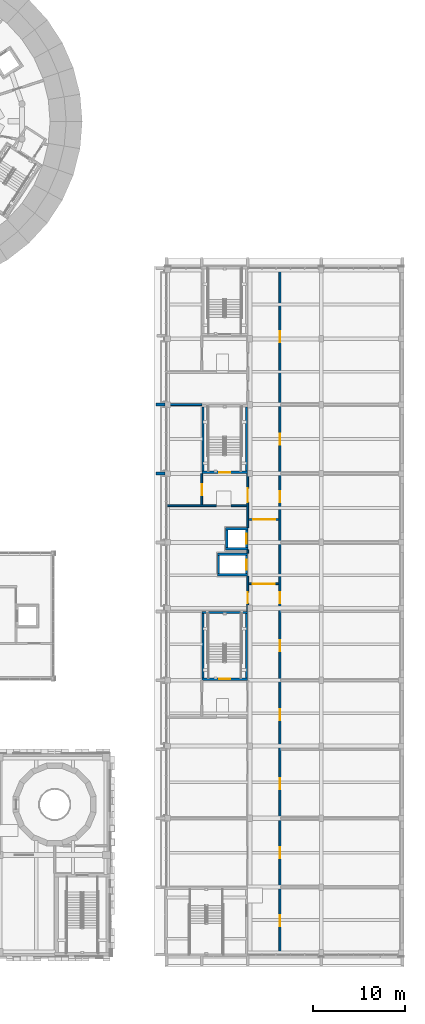
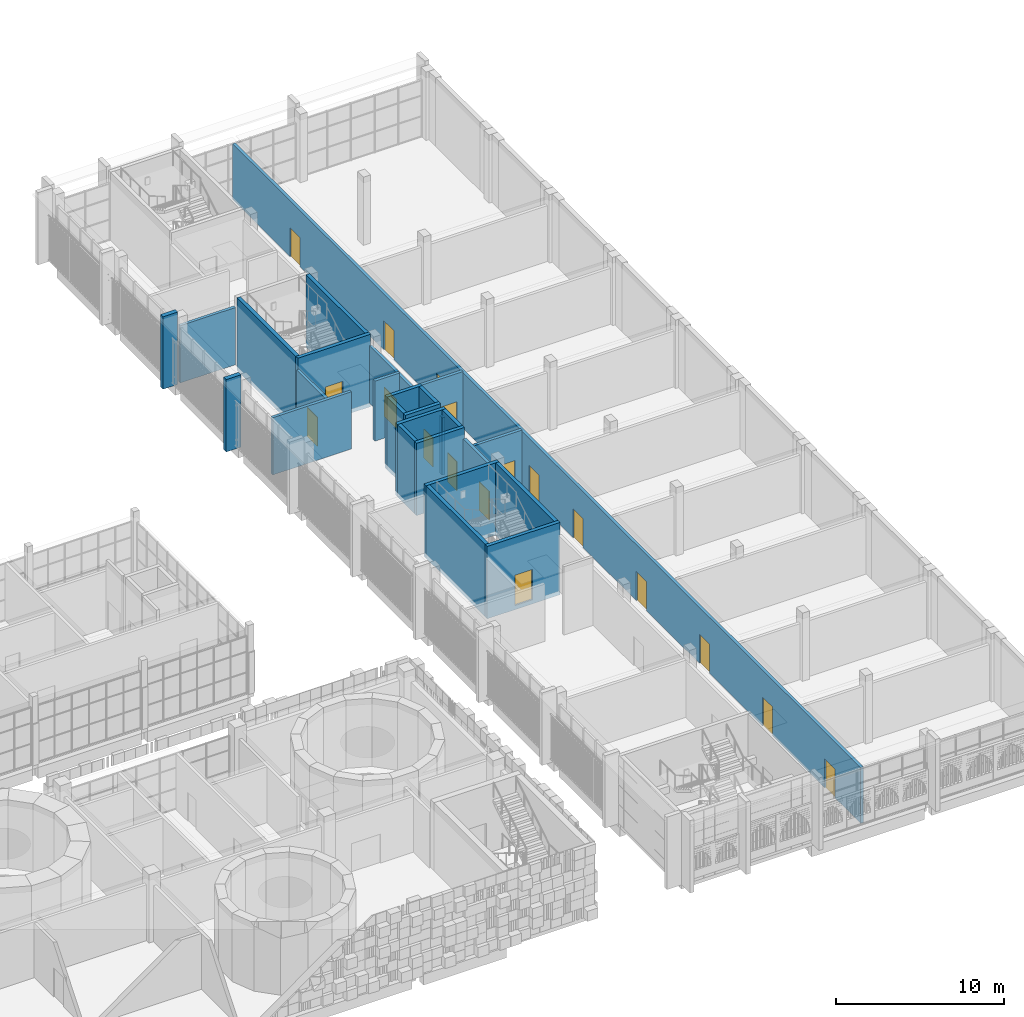
# One storey, part 69 of 125: 27 walls, 18 doors, 18 openings.
"""IFC4 building model written with IfcOpenShell, lengths in metres."""

from ifc_helpers import new_model, si_unit, direction, frame, frame_2d, origin, place, context, subcontext, project, spatial, rectangle, extrude, material, layer, layer_set, type_object, element, fill, save


model = new_model("IFC4")

# Units and contexts
model_context = context("Model", 3, precision=1e-05, world=origin(), true_north=direction((0.0, 1.0)))
body_context = subcontext(model_context, "Body", "Model", "MODEL_VIEW")
ifc_project = project(units=[si_unit("LENGTHUNIT", "METRE"), si_unit("AREAUNIT", "SQUARE_METRE"), si_unit("VOLUMEUNIT", "CUBIC_METRE"), si_unit("PLANEANGLEUNIT", "RADIAN"), si_unit("MASSUNIT", "GRAM", prefix="KILO")], contexts=[model_context])

# Site, building, storey
site_placement = place(None, origin())
site = spatial("IfcSite", under=ifc_project, at=site_placement, CompositionType="ELEMENT")
building_placement = place(site_placement, origin())
building = spatial("IfcBuilding", under=site, at=building_placement, Name="Sun Court Science Centre", CompositionType="ELEMENT")
storey_placement = place(building_placement, frame((0.0, 0.0, 6.0)))
storey = spatial("IfcBuildingStorey", under=building, at=storey_placement, Name="L01", CompositionType="ELEMENT", Elevation=6.0)

# Walls
ifc_material_1 = material(Name="Concrete C30/37", Category="concrete")
ifc_layer_1 = layer(ifc_material_1, 0.300048828125)
ifc_layer_set_1 = layer_set([ifc_layer_1], Name="Concrete C30/37")
wall_type_1 = type_object("IfcWallType", Name="Facade fin RC 300", PredefinedType="SOLIDWALL", material=ifc_layer_set_1)
for number, where, z_axis, x_axis, name in (
    (1, (77.0, 58.5, 0.0), (0.0, 0.0, 1.0), (1.0, 0.0, 0.0), "Facade fin 08 L01"),
    (2, (77.0, 66.0, 0.0), (0.0, 0.0, 1.0), (1.0, 0.0, 0.0), "Facade fin 09 L01"),
):
    element("IfcWall", number, at=place(storey_placement, frame(where, z_axis=z_axis, x_axis=x_axis)), inside=storey, type_object=wall_type_1, Name=name, PredefinedType="SOLIDWALL", context=body_context, shape_type="SweptSolid", body=[
        extrude(rectangle(XDim=1.0, YDim=0.300048828125, at=frame_2d((0.5, 0.0))), origin(), (0.0, 0.0, 1.0), 5.25),
    ])
ifc_material_2 = material(Name="Concrete block", Category="concrete")
ifc_layer_2 = layer(ifc_material_2, 0.199951171875)
ifc_layer_set_2 = layer_set([ifc_layer_2], Name="Concrete block")
wall_type_2 = type_object("IfcWallType", Name="Partition 200 block EI60", PredefinedType="PARTITIONING", material=ifc_layer_set_2)
wall_1_placement = place(storey_placement, frame((78.199951171875, 55.0, 0.0), z_axis=(0.0, 0.0, 1.0), x_axis=(1.0, 0.0, 0.0)))
element("IfcWall", 3, at=wall_1_placement, inside=storey, type_object=wall_type_2, Name="L01 partition 013", PredefinedType="PARTITIONING", context=body_context, shape_type="SweptSolid", body=[
    extrude(rectangle(XDim=5.400146484375, YDim=0.199951171875, at=frame_2d((2.7001953125, 0.0))), origin(), (0.0, 0.0, 1.0), 4.14990234375),
])
wall_2_placement = place(storey_placement, frame((85.199951171875, 55.0, 0.0), z_axis=(0.0, 0.0, 1.0), x_axis=(1.0, 0.0, 0.0)))
element("IfcWall", 4, at=wall_2_placement, inside=storey, type_object=wall_type_2, Name="L01 partition 014", PredefinedType="PARTITIONING", context=body_context, shape_type="SweptSolid", body=[
    extrude(rectangle(XDim=1.699951171875, YDim=0.199951171875, at=frame_2d((0.85009765625, 0.0))), origin(), (0.0, 0.0, 1.0), 4.35009765625),
])
wall_3_placement = place(storey_placement, frame((87.0, 49.85205078125, 0.0), z_axis=(0.0, 0.0, 1.0), x_axis=(0.0, 1.0, 0.0)))
element("IfcWall", 5, at=wall_3_placement, inside=storey, type_object=wall_type_2, Name="L01 partition 023", PredefinedType="PARTITIONING", context=body_context, shape_type="SweptSolid", body=[
    extrude(rectangle(XDim=0.33349609375, YDim=0.199951171875, at=frame_2d((0.166748046875, 0.0))), origin(), (0.0, 0.0, 1.0), 4.14990234375),
])

# Wall, opening, door
wall_4_placement = place(storey_placement, frame((82.0, 55.10009765625, 0.0), z_axis=(0.0, 0.0, 1.0), x_axis=(0.0, 1.0, 0.0)))
wall_4 = element("IfcWall", 6, at=wall_4_placement, inside=storey, type_object=wall_type_2, Name="L01 partition 027", PredefinedType="PARTITIONING", context=body_context, shape_type="SweptSolid", body=[
    extrude(rectangle(XDim=3.39794921875, YDim=0.199951171875, at=frame_2d((1.698974609375, 0.0))), origin(), (0.0, 0.0, 1.0), 4.14990234375),
])
opening_1_placement = place(wall_4_placement, frame((1.051025390625, 0.0, 0.0)))
opening_1 = element("IfcOpeningElement", 7, at=opening_1_placement, cuts=wall_4, Name="Opening D-L01-041", PredefinedType="OPENING", context=body_context, shape_type="SweptSolid", body=[
    extrude(rectangle(XDim=1.199951171875, YDim=2.10009765625, at=frame_2d((0.60009765625, 1.050048828125))), frame((0.0, 0.10986328125, 0.0), z_axis=(0.0, -1.0, 0.0), x_axis=(1.0, 0.0, 0.0)), (0.0, 0.0, 1.0), 0.219970703125),
])
ifc_material_3 = material(Name="Timber", Category="wood")
door_type_1 = type_object("IfcDoorType", Name="Door 1200x2100 single leaf", OperationType="NOTDEFINED", PredefinedType="DOOR", material=ifc_material_3)
door_1_placement = place(opening_1_placement, origin())
door_1 = element("IfcDoor", 8, at=door_1_placement, inside=storey, type_object=door_type_1, Name="Door D-L01-041", OperationType="SINGLE_SWING_RIGHT", OverallHeight=2.10009765625, OverallWidth=1.199951171875, PredefinedType="DOOR", context=body_context, shape_type="SweptSolid", body=[
    extrude(rectangle(XDim=1.199951171875, YDim=2.10009765625, at=frame_2d((0.60009765625, 1.050048828125))), frame((0.0, 0.02490234375, 0.0), z_axis=(0.0, -1.0, 0.0), x_axis=(1.0, 0.0, 0.0)), (0.0, 0.0, 1.0), 0.050048828125),
])
fill(opening_1, door_1)

ifc_material_4 = material(Name="Concrete block", Category="concrete")
ifc_layer_3 = layer(ifc_material_4, 0.199951171875)
ifc_layer_set_3 = layer_set([ifc_layer_3], Name="Concrete block")
wall_type_3 = type_object("IfcWallType", Name="Partition 200 corridor block EI120", PredefinedType="PARTITIONING", material=ifc_layer_set_3)
wall_5_placement = place(storey_placement, frame((90.39990234375, 46.5, 0.0), z_axis=(0.0, 0.0, 1.0), x_axis=(-1.0, 0.0, 0.0)))
wall_5 = element("IfcWall", 9, at=wall_5_placement, inside=storey, type_object=wall_type_3, Name="L01 partition 010", PredefinedType="PARTITIONING", context=body_context, shape_type="SweptSolid", body=[
    extrude(rectangle(XDim=3.2998046875, YDim=0.199951171875, at=frame_2d((1.64990234375, 0.0))), origin(), (0.0, 0.0, 1.0), 4.14990234375),
])
opening_2_placement = place(wall_5_placement, frame((0.47705078125, 0.0, 0.0)))
opening_2 = element("IfcOpeningElement", 10, at=opening_2_placement, cuts=wall_5, Name="Opening D-L01-029", PredefinedType="OPENING", context=body_context, shape_type="SweptSolid", body=[
    extrude(rectangle(XDim=2.39990234375, YDim=2.10009765625, at=frame_2d((1.199951171875, 1.050048828125))), frame((0.0, 0.10986328125, 0.0), z_axis=(0.0, -1.0, 0.0), x_axis=(1.0, 0.0, 0.0)), (0.0, 0.0, 1.0), 0.219970703125),
])
ifc_material_5 = material(Name="Steel", Category="steel")
door_type_2 = type_object("IfcDoorType", Name="Door 2400x2100 double leaf FD60", OperationType="DOUBLE_DOOR_SINGLE_SWING", PredefinedType="DOOR", material=ifc_material_5)
door_2_placement = place(opening_2_placement, origin())
door_2 = element("IfcDoor", 11, at=door_2_placement, inside=storey, type_object=door_type_2, Name="Door D-L01-029", OperationType="DOUBLE_DOOR_SINGLE_SWING", OverallHeight=2.10009765625, OverallWidth=2.39990234375, PredefinedType="DOOR", context=body_context, shape_type="SweptSolid", body=[
    extrude(rectangle(XDim=2.39990234375, YDim=2.10009765625, at=frame_2d((1.199951171875, 1.050048828125))), frame((0.0, 0.02490234375, 0.0), z_axis=(0.0, -1.0, 0.0), x_axis=(1.0, 0.0, 0.0)), (0.0, 0.0, 1.0), 0.050048828125),
])
fill(opening_2, door_2)

wall_6_placement = place(storey_placement, frame((87.10009765625, 53.5, 0.0), z_axis=(0.0, 0.0, 1.0), x_axis=(1.0, 0.0, 0.0)))
wall_6 = element("IfcWall", 12, at=wall_6_placement, inside=storey, type_object=wall_type_3, Name="L01 partition 012", PredefinedType="PARTITIONING", context=body_context, shape_type="SweptSolid", body=[
    extrude(rectangle(XDim=3.2998046875, YDim=0.199951171875, at=frame_2d((1.64990234375, 0.0))), origin(), (0.0, 0.0, 1.0), 4.14990234375),
])
opening_3_placement = place(wall_6_placement, frame((0.47705078125, 0.0, 0.0)))
opening_3 = element("IfcOpeningElement", 13, at=opening_3_placement, cuts=wall_6, Name="Opening D-L01-026", PredefinedType="OPENING", context=body_context, shape_type="SweptSolid", body=[
    extrude(rectangle(XDim=2.39990234375, YDim=2.10009765625, at=frame_2d((1.199951171875, 1.050048828125))), frame((0.0, 0.10986328125, 0.0), z_axis=(0.0, -1.0, 0.0), x_axis=(1.0, 0.0, 0.0)), (0.0, 0.0, 1.0), 0.219970703125),
])
door_3_placement = place(opening_3_placement, origin())
door_3 = element("IfcDoor", 14, at=door_3_placement, inside=storey, type_object=door_type_2, Name="Door D-L01-026", OperationType="DOUBLE_DOOR_SINGLE_SWING", OverallHeight=2.10009765625, OverallWidth=2.39990234375, PredefinedType="DOOR", context=body_context, shape_type="SweptSolid", body=[
    extrude(rectangle(XDim=2.39990234375, YDim=2.10009765625, at=frame_2d((1.199951171875, 1.050048828125))), frame((0.0, 0.02490234375, 0.0), z_axis=(0.0, -1.0, 0.0), x_axis=(1.0, 0.0, 0.0)), (0.0, 0.0, 1.0), 0.050048828125),
])
fill(opening_3, door_3)

# Wall, openings, doors
wall_7_placement = place(storey_placement, frame((90.5, 80.800048828125, 0.0), z_axis=(0.0, 0.0, 1.0), x_axis=(0.0, -1.0, 0.0)))
wall_7 = element("IfcWall", 15, at=wall_7_placement, inside=storey, type_object=wall_type_3, Name="L01 partition 020", PredefinedType="PARTITIONING", context=body_context, shape_type="SweptSolid", body=[
    extrude(rectangle(XDim=74.60009765625, YDim=0.199951171875, at=frame_2d((37.300048828125, 0.0))), origin(), (0.0, 0.0, 1.0), 4.050048828125),
])
opening_4_placement = place(wall_7_placement, frame((70.35009765625, 0.0, 0.0)))
opening_4 = element("IfcOpeningElement", 16, at=opening_4_placement, cuts=wall_7, Name="Opening D-L01-044", PredefinedType="OPENING", context=body_context, shape_type="SweptSolid", body=[
    extrude(rectangle(XDim=1.199951171875, YDim=2.10009765625, at=frame_2d((0.60009765625, 1.050048828125))), frame((0.0, 0.10986328125, 0.0), z_axis=(0.0, -1.0, 0.0), x_axis=(1.0, 0.0, 0.0)), (0.0, 0.0, 1.0), 0.219970703125),
])
opening_5_placement = place(wall_7_placement, frame((62.949951171875, 0.0, 0.0)))
opening_5 = element("IfcOpeningElement", 17, at=opening_5_placement, cuts=wall_7, Name="Opening D-L01-045", PredefinedType="OPENING", context=body_context, shape_type="SweptSolid", body=[
    extrude(rectangle(XDim=1.199951171875, YDim=2.10009765625, at=frame_2d((0.60009765625, 1.050048828125))), frame((0.0, 0.10986328125, 0.0), z_axis=(0.0, -1.0, 0.0), x_axis=(1.0, 0.0, 0.0)), (0.0, 0.0, 1.0), 0.219970703125),
])
opening_6_placement = place(wall_7_placement, frame((55.449951171875, 0.0, 0.0)))
opening_6 = element("IfcOpeningElement", 18, at=opening_6_placement, cuts=wall_7, Name="Opening D-L01-046", PredefinedType="OPENING", context=body_context, shape_type="SweptSolid", body=[
    extrude(rectangle(XDim=1.199951171875, YDim=2.10009765625, at=frame_2d((0.60009765625, 1.050048828125))), frame((0.0, 0.10986328125, 0.0), z_axis=(0.0, -1.0, 0.0), x_axis=(1.0, 0.0, 0.0)), (0.0, 0.0, 1.0), 0.219970703125),
])
opening_7_placement = place(wall_7_placement, frame((47.949951171875, 0.0, 0.0)))
opening_7 = element("IfcOpeningElement", 19, at=opening_7_placement, cuts=wall_7, Name="Opening D-L01-047", PredefinedType="OPENING", context=body_context, shape_type="SweptSolid", body=[
    extrude(rectangle(XDim=1.199951171875, YDim=2.10009765625, at=frame_2d((0.60009765625, 1.050048828125))), frame((0.0, 0.10986328125, 0.0), z_axis=(0.0, -1.0, 0.0), x_axis=(1.0, 0.0, 0.0)), (0.0, 0.0, 1.0), 0.219970703125),
])
opening_8_placement = place(wall_7_placement, frame((40.449951171875, 0.0, 0.0)))
opening_8 = element("IfcOpeningElement", 20, at=opening_8_placement, cuts=wall_7, Name="Opening D-L01-048", PredefinedType="OPENING", context=body_context, shape_type="SweptSolid", body=[
    extrude(rectangle(XDim=1.199951171875, YDim=2.10009765625, at=frame_2d((0.60009765625, 1.050048828125))), frame((0.0, 0.10986328125, 0.0), z_axis=(0.0, -1.0, 0.0), x_axis=(1.0, 0.0, 0.0)), (0.0, 0.0, 1.0), 0.219970703125),
])
opening_9_placement = place(wall_7_placement, frame((35.198974609375, 0.0, 0.0)))
opening_9 = element("IfcOpeningElement", 21, at=opening_9_placement, cuts=wall_7, Name="Opening D-L01-049", PredefinedType="OPENING", context=body_context, shape_type="SweptSolid", body=[
    extrude(rectangle(XDim=1.199951171875, YDim=2.10009765625, at=frame_2d((0.60009765625, 1.050048828125))), frame((0.0, 0.10986328125, 0.0), z_axis=(0.0, -1.0, 0.0), x_axis=(1.0, 0.0, 0.0)), (0.0, 0.0, 1.0), 0.219970703125),
])
opening_10_placement = place(wall_7_placement, frame((24.200927734375, 0.0, 0.0)))
opening_10 = element("IfcOpeningElement", 22, at=opening_10_placement, cuts=wall_7, Name="Opening D-L01-050", PredefinedType="OPENING", context=body_context, shape_type="SweptSolid", body=[
    extrude(rectangle(XDim=1.199951171875, YDim=2.10009765625, at=frame_2d((0.60009765625, 1.050048828125))), frame((0.0, 0.10986328125, 0.0), z_axis=(0.0, -1.0, 0.0), x_axis=(1.0, 0.0, 0.0)), (0.0, 0.0, 1.0), 0.219970703125),
])
opening_11_placement = place(wall_7_placement, frame((17.949951171875, 0.0, 0.0)))
opening_11 = element("IfcOpeningElement", 23, at=opening_11_placement, cuts=wall_7, Name="Opening D-L01-051", PredefinedType="OPENING", context=body_context, shape_type="SweptSolid", body=[
    extrude(rectangle(XDim=1.199951171875, YDim=2.10009765625, at=frame_2d((0.60009765625, 1.050048828125))), frame((0.0, 0.10986328125, 0.0), z_axis=(0.0, -1.0, 0.0), x_axis=(1.0, 0.0, 0.0)), (0.0, 0.0, 1.0), 0.219970703125),
])
opening_12_placement = place(wall_7_placement, frame((6.824951171875, 0.0, 0.0)))
opening_12 = element("IfcOpeningElement", 24, at=opening_12_placement, cuts=wall_7, Name="Opening D-L01-052", PredefinedType="OPENING", context=body_context, shape_type="SweptSolid", body=[
    extrude(rectangle(XDim=1.199951171875, YDim=2.10009765625, at=frame_2d((0.60009765625, 1.050048828125))), frame((0.0, 0.10986328125, 0.0), z_axis=(0.0, -1.0, 0.0), x_axis=(1.0, 0.0, 0.0)), (0.0, 0.0, 1.0), 0.219970703125),
])
ifc_material_6 = material(Name="Steel", Category="steel")
door_type_3 = type_object("IfcDoorType", Name="Door 1200x2100 single leaf FD60", OperationType="NOTDEFINED", PredefinedType="DOOR", material=ifc_material_6)
door_4_placement = place(opening_4_placement, origin())
door_4 = element("IfcDoor", 25, at=door_4_placement, inside=storey, type_object=door_type_3, Name="Door D-L01-044", OperationType="SINGLE_SWING_LEFT", OverallHeight=2.10009765625, OverallWidth=1.199951171875, PredefinedType="DOOR", context=body_context, shape_type="SweptSolid", body=[
    extrude(rectangle(XDim=1.199951171875, YDim=2.10009765625, at=frame_2d((0.60009765625, 1.050048828125))), frame((0.0, 0.02490234375, 0.0), z_axis=(0.0, -1.0, 0.0), x_axis=(1.0, 0.0, 0.0)), (0.0, 0.0, 1.0), 0.050048828125),
])
fill(opening_4, door_4)
door_5_placement = place(opening_5_placement, origin())
door_5 = element("IfcDoor", 26, at=door_5_placement, inside=storey, type_object=door_type_3, Name="Door D-L01-045", OperationType="SINGLE_SWING_LEFT", OverallHeight=2.10009765625, OverallWidth=1.199951171875, PredefinedType="DOOR", context=body_context, shape_type="SweptSolid", body=[
    extrude(rectangle(XDim=1.199951171875, YDim=2.10009765625, at=frame_2d((0.60009765625, 1.050048828125))), frame((0.0, 0.02490234375, 0.0), z_axis=(0.0, -1.0, 0.0), x_axis=(1.0, 0.0, 0.0)), (0.0, 0.0, 1.0), 0.050048828125),
])
fill(opening_5, door_5)
door_6_placement = place(opening_6_placement, origin())
door_6 = element("IfcDoor", 27, at=door_6_placement, inside=storey, type_object=door_type_3, Name="Door D-L01-046", OperationType="SINGLE_SWING_LEFT", OverallHeight=2.10009765625, OverallWidth=1.199951171875, PredefinedType="DOOR", context=body_context, shape_type="SweptSolid", body=[
    extrude(rectangle(XDim=1.199951171875, YDim=2.10009765625, at=frame_2d((0.60009765625, 1.050048828125))), frame((0.0, 0.02490234375, 0.0), z_axis=(0.0, -1.0, 0.0), x_axis=(1.0, 0.0, 0.0)), (0.0, 0.0, 1.0), 0.050048828125),
])
fill(opening_6, door_6)
door_7_placement = place(opening_7_placement, origin())
door_7 = element("IfcDoor", 28, at=door_7_placement, inside=storey, type_object=door_type_3, Name="Door D-L01-047", OperationType="SINGLE_SWING_LEFT", OverallHeight=2.10009765625, OverallWidth=1.199951171875, PredefinedType="DOOR", context=body_context, shape_type="SweptSolid", body=[
    extrude(rectangle(XDim=1.199951171875, YDim=2.10009765625, at=frame_2d((0.60009765625, 1.050048828125))), frame((0.0, 0.02490234375, 0.0), z_axis=(0.0, -1.0, 0.0), x_axis=(1.0, 0.0, 0.0)), (0.0, 0.0, 1.0), 0.050048828125),
])
fill(opening_7, door_7)
door_8_placement = place(opening_8_placement, origin())
door_8 = element("IfcDoor", 29, at=door_8_placement, inside=storey, type_object=door_type_3, Name="Door D-L01-048", OperationType="SINGLE_SWING_LEFT", OverallHeight=2.10009765625, OverallWidth=1.199951171875, PredefinedType="DOOR", context=body_context, shape_type="SweptSolid", body=[
    extrude(rectangle(XDim=1.199951171875, YDim=2.10009765625, at=frame_2d((0.60009765625, 1.050048828125))), frame((0.0, 0.02490234375, 0.0), z_axis=(0.0, -1.0, 0.0), x_axis=(1.0, 0.0, 0.0)), (0.0, 0.0, 1.0), 0.050048828125),
])
fill(opening_8, door_8)
door_9_placement = place(opening_9_placement, origin())
door_9 = element("IfcDoor", 30, at=door_9_placement, inside=storey, type_object=door_type_3, Name="Door D-L01-049", OperationType="SINGLE_SWING_RIGHT", OverallHeight=2.10009765625, OverallWidth=1.199951171875, PredefinedType="DOOR", context=body_context, shape_type="SweptSolid", body=[
    extrude(rectangle(XDim=1.199951171875, YDim=2.10009765625, at=frame_2d((0.60009765625, 1.050048828125))), frame((0.0, 0.02490234375, 0.0), z_axis=(0.0, -1.0, 0.0), x_axis=(1.0, 0.0, 0.0)), (0.0, 0.0, 1.0), 0.050048828125),
])
fill(opening_9, door_9)
door_10_placement = place(opening_10_placement, origin())
door_10 = element("IfcDoor", 31, at=door_10_placement, inside=storey, type_object=door_type_3, Name="Door D-L01-050", OperationType="SINGLE_SWING_RIGHT", OverallHeight=2.10009765625, OverallWidth=1.199951171875, PredefinedType="DOOR", context=body_context, shape_type="SweptSolid", body=[
    extrude(rectangle(XDim=1.199951171875, YDim=2.10009765625, at=frame_2d((0.60009765625, 1.050048828125))), frame((0.0, 0.02490234375, 0.0), z_axis=(0.0, -1.0, 0.0), x_axis=(1.0, 0.0, 0.0)), (0.0, 0.0, 1.0), 0.050048828125),
])
fill(opening_10, door_10)
door_11_placement = place(opening_11_placement, origin())
door_11 = element("IfcDoor", 32, at=door_11_placement, inside=storey, type_object=door_type_3, Name="Door D-L01-051", OperationType="SINGLE_SWING_RIGHT", OverallHeight=2.10009765625, OverallWidth=1.199951171875, PredefinedType="DOOR", context=body_context, shape_type="SweptSolid", body=[
    extrude(rectangle(XDim=1.199951171875, YDim=2.10009765625, at=frame_2d((0.60009765625, 1.050048828125))), frame((0.0, 0.02490234375, 0.0), z_axis=(0.0, -1.0, 0.0), x_axis=(1.0, 0.0, 0.0)), (0.0, 0.0, 1.0), 0.050048828125),
])
fill(opening_11, door_11)
door_12_placement = place(opening_12_placement, origin())
door_12 = element("IfcDoor", 33, at=door_12_placement, inside=storey, type_object=door_type_3, Name="Door D-L01-052", OperationType="SINGLE_SWING_RIGHT", OverallHeight=2.10009765625, OverallWidth=1.199951171875, PredefinedType="DOOR", context=body_context, shape_type="SweptSolid", body=[
    extrude(rectangle(XDim=1.199951171875, YDim=2.10009765625, at=frame_2d((0.60009765625, 1.050048828125))), frame((0.0, 0.02490234375, 0.0), z_axis=(0.0, -1.0, 0.0), x_axis=(1.0, 0.0, 0.0)), (0.0, 0.0, 1.0), 0.050048828125),
])
fill(opening_12, door_12)

# Wall, opening, door
wall_8_placement = place(storey_placement, frame((87.0, 43.501953125, 0.0), z_axis=(0.0, 0.0, 1.0), x_axis=(0.0, 1.0, 0.0)))
wall_8 = element("IfcWall", 34, at=wall_8_placement, inside=storey, type_object=wall_type_3, Name="L01 partition 022", PredefinedType="PARTITIONING", context=body_context, shape_type="SweptSolid", body=[
    extrude(rectangle(XDim=3.845947265625, YDim=0.199951171875, at=frame_2d((1.9228515625, 0.0))), origin(), (0.0, 0.0, 1.0), 4.14990234375),
])
opening_13_placement = place(wall_8_placement, frame((0.89892578125, 0.0, 0.0)))
opening_13 = element("IfcOpeningElement", 35, at=opening_13_placement, cuts=wall_8, Name="Opening D-L01-040", PredefinedType="OPENING", context=body_context, shape_type="SweptSolid", body=[
    extrude(rectangle(XDim=1.199951171875, YDim=2.10009765625, at=frame_2d((0.60009765625, 1.050048828125))), frame((0.0, 0.10986328125, 0.0), z_axis=(0.0, -1.0, 0.0), x_axis=(1.0, 0.0, 0.0)), (0.0, 0.0, 1.0), 0.219970703125),
])
door_13_placement = place(opening_13_placement, origin())
door_13 = element("IfcDoor", 36, at=door_13_placement, inside=storey, type_object=door_type_3, Name="Door D-L01-040", OperationType="SINGLE_SWING_RIGHT", OverallHeight=2.10009765625, OverallWidth=1.199951171875, PredefinedType="DOOR", context=body_context, shape_type="SweptSolid", body=[
    extrude(rectangle(XDim=1.199951171875, YDim=2.10009765625, at=frame_2d((0.60009765625, 1.050048828125))), frame((0.0, 0.02490234375, 0.0), z_axis=(0.0, -1.0, 0.0), x_axis=(1.0, 0.0, 0.0)), (0.0, 0.0, 1.0), 0.050048828125),
])
fill(opening_13, door_13)

wall_9_placement = place(storey_placement, frame((87.0, 52.614501953125, 0.0), z_axis=(0.0, 0.0, 1.0), x_axis=(0.0, 1.0, 0.0)))
wall_9 = element("IfcWall", 37, at=wall_9_placement, inside=storey, type_object=wall_type_3, Name="L01 partition 024", PredefinedType="PARTITIONING", context=body_context, shape_type="SweptSolid", body=[
    extrude(rectangle(XDim=5.883544921875, YDim=0.199951171875, at=frame_2d((2.94189453125, 0.0))), origin(), (0.0, 0.0, 1.0), 4.14990234375),
])
opening_14_placement = place(wall_9_placement, frame((2.785400390625, 0.0, 0.0)))
opening_14 = element("IfcOpeningElement", 38, at=opening_14_placement, cuts=wall_9, Name="Opening D-L01-033", PredefinedType="OPENING", context=body_context, shape_type="SweptSolid", body=[
    extrude(rectangle(XDim=1.5, YDim=2.10009765625, at=frame_2d((0.75, 1.050048828125))), frame((0.0, 0.10986328125, 0.0), z_axis=(0.0, -1.0, 0.0), x_axis=(1.0, 0.0, 0.0)), (0.0, 0.0, 1.0), 0.219970703125),
])
ifc_material_7 = material(Name="Steel", Category="steel")
door_type_4 = type_object("IfcDoorType", Name="Door 1500x2100 double leaf FD60", OperationType="DOUBLE_DOOR_SINGLE_SWING", PredefinedType="DOOR", material=ifc_material_7)
door_14_placement = place(opening_14_placement, origin())
door_14 = element("IfcDoor", 39, at=door_14_placement, inside=storey, type_object=door_type_4, Name="Door D-L01-033", OperationType="DOUBLE_DOOR_SINGLE_SWING", OverallHeight=2.10009765625, OverallWidth=1.5, PredefinedType="DOOR", context=body_context, shape_type="SweptSolid", body=[
    extrude(rectangle(XDim=1.5, YDim=2.10009765625, at=frame_2d((0.75, 1.050048828125))), frame((0.0, 0.02490234375, 0.0), z_axis=(0.0, -1.0, 0.0), x_axis=(1.0, 0.0, 0.0)), (0.0, 0.0, 1.0), 0.050048828125),
])
fill(opening_14, door_14)

# Walls
ifc_material_8 = material(Name="Gypsum board")
ifc_layer_4 = layer(ifc_material_8, 0.199951171875)
ifc_layer_set_4 = layer_set([ifc_layer_4], Name="Gypsum board")
wall_type_4 = type_object("IfcWallType", Name="Partition 200 stud EI30", PredefinedType="PARTITIONING", material=ifc_layer_set_4)
wall_10_placement = place(storey_placement, frame((78.199951171875, 66.0, 0.0), z_axis=(0.0, 0.0, 1.0), x_axis=(1.0, 0.0, 0.0)))
element("IfcWall", 40, at=wall_10_placement, inside=storey, type_object=wall_type_4, Name="L01 partition 016", PredefinedType="PARTITIONING", context=body_context, shape_type="SweptSolid", body=[
    extrude(rectangle(XDim=3.798095703125, YDim=0.199951171875, at=frame_2d((1.89892578125, 0.0))), origin(), (0.0, 0.0, 1.0), 4.14990234375),
])
ifc_material_9 = material(Name="Concrete C30/37", Category="concrete")
ifc_layer_5 = layer(ifc_material_9, 0.25)
ifc_layer_set_5 = layer_set([ifc_layer_5], Name="Concrete C30/37")
wall_type_5 = type_object("IfcWallType", Name="RC shaft wall 250", PredefinedType="SHEAR", material=ifc_layer_set_5)
wall_11_placement = place(storey_placement, frame((83.699951171875, 47.47509765625, -0.300048828125), z_axis=(0.0, 0.0, 1.0), x_axis=(1.0, 0.0, 0.0)))
element("IfcWall", 41, at=wall_11_placement, inside=storey, type_object=wall_type_5, Name="Lift core LL1 wall S, L01", PredefinedType="SHEAR", context=body_context, shape_type="SweptSolid", body=[
    extrude(rectangle(XDim=3.300048828125, YDim=0.25, at=frame_2d((1.64990234375, 0.0))), origin(), (0.0, 0.0, 1.0), 5.25),
])

# Wall, opening, door
wall_12_placement = place(storey_placement, frame((86.875, 47.60009765625, -0.300048828125), z_axis=(0.0, 0.0, 1.0), x_axis=(0.0, 1.0, 0.0)))
wall_12 = element("IfcWall", 42, at=wall_12_placement, inside=storey, type_object=wall_type_5, Name="Lift core LL1 wall E, L01", PredefinedType="SHEAR", context=body_context, shape_type="SweptSolid", body=[
    extrude(rectangle(XDim=2.0, YDim=0.25, at=frame_2d((1.0, 0.0))), origin(), (0.0, 0.0, 1.0), 5.25),
])
opening_15_placement = place(wall_12_placement, frame((0.424072265625, 0.0, 0.300048828125)))
opening_15 = element("IfcOpeningElement", 43, at=opening_15_placement, cuts=wall_12, Name="Opening D-L01-027", PredefinedType="OPENING", context=body_context, shape_type="SweptSolid", body=[
    extrude(rectangle(XDim=1.10009765625, YDim=2.10009765625, at=frame_2d((0.550048828125, 1.050048828125))), frame((0.0, 0.135009765625, 0.0), z_axis=(0.0, -1.0, 0.0), x_axis=(1.0, 0.0, 0.0)), (0.0, 0.0, 1.0), 0.27001953125),
])
ifc_material_10 = material(Name="Steel", Category="steel")
door_type_5 = type_object("IfcDoorType", Name="Lift landing door 1100x2100 sliding", OperationType="DOUBLE_DOOR_SLIDING", PredefinedType="DOOR", material=ifc_material_10)
door_15_placement = place(opening_15_placement, origin())
door_15 = element("IfcDoor", 44, at=door_15_placement, inside=storey, type_object=door_type_5, Name="Lift landing door D-L01-027", OperationType="DOUBLE_DOOR_SLIDING", OverallHeight=2.10009765625, OverallWidth=1.10009765625, PredefinedType="DOOR", context=body_context, shape_type="SweptSolid", body=[
    extrude(rectangle(XDim=1.10009765625, YDim=2.10009765625, at=frame_2d((0.550048828125, 1.050048828125))), frame((0.0, 0.02490234375, 0.0), z_axis=(0.0, -1.0, 0.0), x_axis=(1.0, 0.0, 0.0)), (0.0, 0.0, 1.0), 0.050048828125),
])
fill(opening_15, door_15)

# Walls
wall_13_placement = place(storey_placement, frame((83.699951171875, 49.72509765625, -0.300048828125), z_axis=(0.0, 0.0, 1.0), x_axis=(1.0, 0.0, 0.0)))
element("IfcWall", 45, at=wall_13_placement, inside=storey, type_object=wall_type_5, Name="Lift core LL1 wall N, L01", PredefinedType="SHEAR", context=body_context, shape_type="SweptSolid", body=[
    extrude(rectangle(XDim=3.300048828125, YDim=0.25, at=frame_2d((1.64990234375, 0.0))), origin(), (0.0, 0.0, 1.0), 5.25),
])
wall_14_placement = place(storey_placement, frame((83.824951171875, 47.60009765625, -0.300048828125), z_axis=(0.0, 0.0, 1.0), x_axis=(0.0, 1.0, 0.0)))
element("IfcWall", 46, at=wall_14_placement, inside=storey, type_object=wall_type_5, Name="Lift core LL1 wall W, L01", PredefinedType="SHEAR", context=body_context, shape_type="SweptSolid", body=[
    extrude(rectangle(XDim=2.0, YDim=0.25, at=frame_2d((1.0, 0.0))), origin(), (0.0, 0.0, 1.0), 5.25),
])
wall_15_placement = place(storey_placement, frame((84.577392578125, 50.3125, -0.300048828125), z_axis=(0.0, 0.0, 1.0), x_axis=(1.0, 0.0, 0.0)))
element("IfcWall", 47, at=wall_15_placement, inside=storey, type_object=wall_type_5, Name="Lift core LL2 wall S, L01", PredefinedType="SHEAR", context=body_context, shape_type="SweptSolid", body=[
    extrude(rectangle(XDim=2.425048828125, YDim=0.25, at=frame_2d((1.21240234375, 0.0))), origin(), (0.0, 0.0, 1.0), 5.25),
])

# Wall, opening, door
wall_16_placement = place(storey_placement, frame((86.87744140625, 50.4375, -0.300048828125), z_axis=(0.0, 0.0, 1.0), x_axis=(0.0, 1.0, 0.0)))
wall_16 = element("IfcWall", 48, at=wall_16_placement, inside=storey, type_object=wall_type_5, Name="Lift core LL2 wall E, L01", PredefinedType="SHEAR", context=body_context, shape_type="SweptSolid", body=[
    extrude(rectangle(XDim=1.925048828125, YDim=0.25, at=frame_2d((0.96240234375, 0.0))), origin(), (0.0, 0.0, 1.0), 5.25),
])
opening_16_placement = place(wall_16_placement, frame((0.41259765625, 0.0, 0.300048828125)))
opening_16 = element("IfcOpeningElement", 49, at=opening_16_placement, cuts=wall_16, Name="Opening D-L01-028", PredefinedType="OPENING", context=body_context, shape_type="SweptSolid", body=[
    extrude(rectangle(XDim=1.10009765625, YDim=2.10009765625, at=frame_2d((0.550048828125, 1.050048828125))), frame((0.0, 0.135009765625, 0.0), z_axis=(0.0, -1.0, 0.0), x_axis=(1.0, 0.0, 0.0)), (0.0, 0.0, 1.0), 0.27001953125),
])
door_16_placement = place(opening_16_placement, origin())
door_16 = element("IfcDoor", 50, at=door_16_placement, inside=storey, type_object=door_type_5, Name="Lift landing door D-L01-028", OperationType="DOUBLE_DOOR_SLIDING", OverallHeight=2.10009765625, OverallWidth=1.10009765625, PredefinedType="DOOR", context=body_context, shape_type="SweptSolid", body=[
    extrude(rectangle(XDim=1.10009765625, YDim=2.10009765625, at=frame_2d((0.550048828125, 1.050048828125))), frame((0.0, 0.02490234375, 0.0), z_axis=(0.0, -1.0, 0.0), x_axis=(1.0, 0.0, 0.0)), (0.0, 0.0, 1.0), 0.050048828125),
])
fill(opening_16, door_16)

# Walls
wall_17_placement = place(storey_placement, frame((84.577392578125, 52.487548828125, -0.300048828125), z_axis=(0.0, 0.0, 1.0), x_axis=(1.0, 0.0, 0.0)))
element("IfcWall", 51, at=wall_17_placement, inside=storey, type_object=wall_type_5, Name="Lift core LL2 wall N, L01", PredefinedType="SHEAR", context=body_context, shape_type="SweptSolid", body=[
    extrude(rectangle(XDim=2.425048828125, YDim=0.25, at=frame_2d((1.21240234375, 0.0))), origin(), (0.0, 0.0, 1.0), 5.25),
])
wall_18_placement = place(storey_placement, frame((84.702392578125, 50.4375, -0.300048828125), z_axis=(0.0, 0.0, 1.0), x_axis=(0.0, 1.0, 0.0)))
element("IfcWall", 52, at=wall_18_placement, inside=storey, type_object=wall_type_5, Name="Lift core LL2 wall W, L01", PredefinedType="SHEAR", context=body_context, shape_type="SweptSolid", body=[
    extrude(rectangle(XDim=1.925048828125, YDim=0.25, at=frame_2d((0.96240234375, 0.0))), origin(), (0.0, 0.0, 1.0), 5.25),
])

# Wall, opening, door
ifc_material_11 = material(Name="Concrete C30/37", Category="concrete")
ifc_layer_6 = layer(ifc_material_11, 0.25)
ifc_layer_set_6 = layer_set([ifc_layer_6], Name="Concrete C30/37")
wall_type_6 = type_object("IfcWallType", Name="RC stair core wall 250", PredefinedType="SHEAR", material=ifc_layer_set_6)
wall_19_placement = place(storey_placement, frame((82.0, 36.125, -0.300048828125), z_axis=(0.0, 0.0, 1.0), x_axis=(1.0, 0.0, 0.0)))
wall_19 = element("IfcWall", 53, at=wall_19_placement, inside=storey, type_object=wall_type_6, Name="Stair core SL2 wall S, L01", PredefinedType="SHEAR", context=body_context, shape_type="SweptSolid", body=[
    extrude(rectangle(XDim=5.0, YDim=0.25, at=frame_2d((2.5, 0.0))), origin(), (0.0, 0.0, 1.0), 5.25),
])
opening_17_placement = place(wall_19_placement, frame((1.89990234375, 0.0, 0.300048828125)))
opening_17 = element("IfcOpeningElement", 54, at=opening_17_placement, cuts=wall_19, Name="Opening D-L01-030", PredefinedType="OPENING", context=body_context, shape_type="SweptSolid", body=[
    extrude(rectangle(XDim=1.199951171875, YDim=2.199951171875, at=frame_2d((0.60009765625, 1.10009765625))), frame((0.0, 0.135009765625, 0.0), z_axis=(0.0, -1.0, 0.0), x_axis=(1.0, 0.0, 0.0)), (0.0, 0.0, 1.0), 0.27001953125),
])
ifc_material_12 = material(Name="Steel", Category="steel")
door_type_6 = type_object("IfcDoorType", Name="Door 1200x2200 single leaf FD60", OperationType="NOTDEFINED", PredefinedType="DOOR", material=ifc_material_12)
door_17_placement = place(opening_17_placement, origin())
door_17 = element("IfcDoor", 55, at=door_17_placement, inside=storey, type_object=door_type_6, Name="Door D-L01-030", OperationType="SINGLE_SWING_LEFT", OverallHeight=2.199951171875, OverallWidth=1.199951171875, PredefinedType="DOOR", context=body_context, shape_type="SweptSolid", body=[
    extrude(rectangle(XDim=1.199951171875, YDim=2.199951171875, at=frame_2d((0.60009765625, 1.10009765625))), frame((0.0, 0.02490234375, 0.0), z_axis=(0.0, -1.0, 0.0), x_axis=(1.0, 0.0, 0.0)), (0.0, 0.0, 1.0), 0.050048828125),
])
fill(opening_17, door_17)

# Walls
wall_20_placement = place(storey_placement, frame((86.875, 36.25, -0.300048828125), z_axis=(0.0, 0.0, 1.0), x_axis=(0.0, 1.0, 0.0)))
element("IfcWall", 56, at=wall_20_placement, inside=storey, type_object=wall_type_6, Name="Stair core SL2 wall E, L01", PredefinedType="SHEAR", context=body_context, shape_type="SweptSolid", body=[
    extrude(rectangle(XDim=7.0, YDim=0.25, at=frame_2d((3.5, 0.0))), origin(), (0.0, 0.0, 1.0), 5.25),
])
wall_21_placement = place(storey_placement, frame((82.0, 43.375, -0.300048828125), z_axis=(0.0, 0.0, 1.0), x_axis=(1.0, 0.0, 0.0)))
element("IfcWall", 57, at=wall_21_placement, inside=storey, type_object=wall_type_6, Name="Stair core SL2 wall N, L01", PredefinedType="SHEAR", context=body_context, shape_type="SweptSolid", body=[
    extrude(rectangle(XDim=5.0, YDim=0.25, at=frame_2d((2.5, 0.0))), origin(), (0.0, 0.0, 1.0), 5.25),
])
wall_22_placement = place(storey_placement, frame((82.125, 36.25, -0.300048828125), z_axis=(0.0, 0.0, 1.0), x_axis=(0.0, 1.0, 0.0)))
element("IfcWall", 58, at=wall_22_placement, inside=storey, type_object=wall_type_6, Name="Stair core SL2 wall W, L01", PredefinedType="SHEAR", context=body_context, shape_type="SweptSolid", body=[
    extrude(rectangle(XDim=7.0, YDim=0.25, at=frame_2d((3.5, 0.0))), origin(), (0.0, 0.0, 1.0), 5.25),
])

# Wall, opening, door
wall_23_placement = place(storey_placement, frame((82.0, 58.625, -0.300048828125), z_axis=(0.0, 0.0, 1.0), x_axis=(1.0, 0.0, 0.0)))
wall_23 = element("IfcWall", 59, at=wall_23_placement, inside=storey, type_object=wall_type_6, Name="Stair core SL3 wall S, L01", PredefinedType="SHEAR", context=body_context, shape_type="SweptSolid", body=[
    extrude(rectangle(XDim=5.0, YDim=0.25, at=frame_2d((2.5, 0.0))), origin(), (0.0, 0.0, 1.0), 5.25),
])
opening_18_placement = place(wall_23_placement, frame((1.89990234375, 0.0, 0.300048828125)))
opening_18 = element("IfcOpeningElement", 60, at=opening_18_placement, cuts=wall_23, Name="Opening D-L01-032", PredefinedType="OPENING", context=body_context, shape_type="SweptSolid", body=[
    extrude(rectangle(XDim=1.199951171875, YDim=2.199951171875, at=frame_2d((0.60009765625, 1.10009765625))), frame((0.0, 0.135009765625, 0.0), z_axis=(0.0, -1.0, 0.0), x_axis=(1.0, 0.0, 0.0)), (0.0, 0.0, 1.0), 0.27001953125),
])
door_18_placement = place(opening_18_placement, origin())
door_18 = element("IfcDoor", 61, at=door_18_placement, inside=storey, type_object=door_type_6, Name="Door D-L01-032", OperationType="SINGLE_SWING_LEFT", OverallHeight=2.199951171875, OverallWidth=1.199951171875, PredefinedType="DOOR", context=body_context, shape_type="SweptSolid", body=[
    extrude(rectangle(XDim=1.199951171875, YDim=2.199951171875, at=frame_2d((0.60009765625, 1.10009765625))), frame((0.0, 0.02490234375, 0.0), z_axis=(0.0, -1.0, 0.0), x_axis=(1.0, 0.0, 0.0)), (0.0, 0.0, 1.0), 0.050048828125),
])
fill(opening_18, door_18)

# Walls
for number, where, z_axis, x_axis, name in (
    (62, (86.875, 58.75, -0.300048828125), (0.0, 0.0, 1.0), (0.0, 1.0, 0.0), "Stair core SL3 wall E, L01"),
    (63, (82.125, 58.75, -0.300048828125), (0.0, 0.0, 1.0), (0.0, 1.0, 0.0), "Stair core SL3 wall W, L01"),
):
    element("IfcWall", number, at=place(storey_placement, frame(where, z_axis=z_axis, x_axis=x_axis)), inside=storey, type_object=wall_type_6, Name=name, PredefinedType="SHEAR", context=body_context, shape_type="SweptSolid", body=[
        extrude(rectangle(XDim=7.0, YDim=0.25, at=frame_2d((3.5, 0.0))), origin(), (0.0, 0.0, 1.0), 5.25),
    ])

save(model, "model.ifc")
